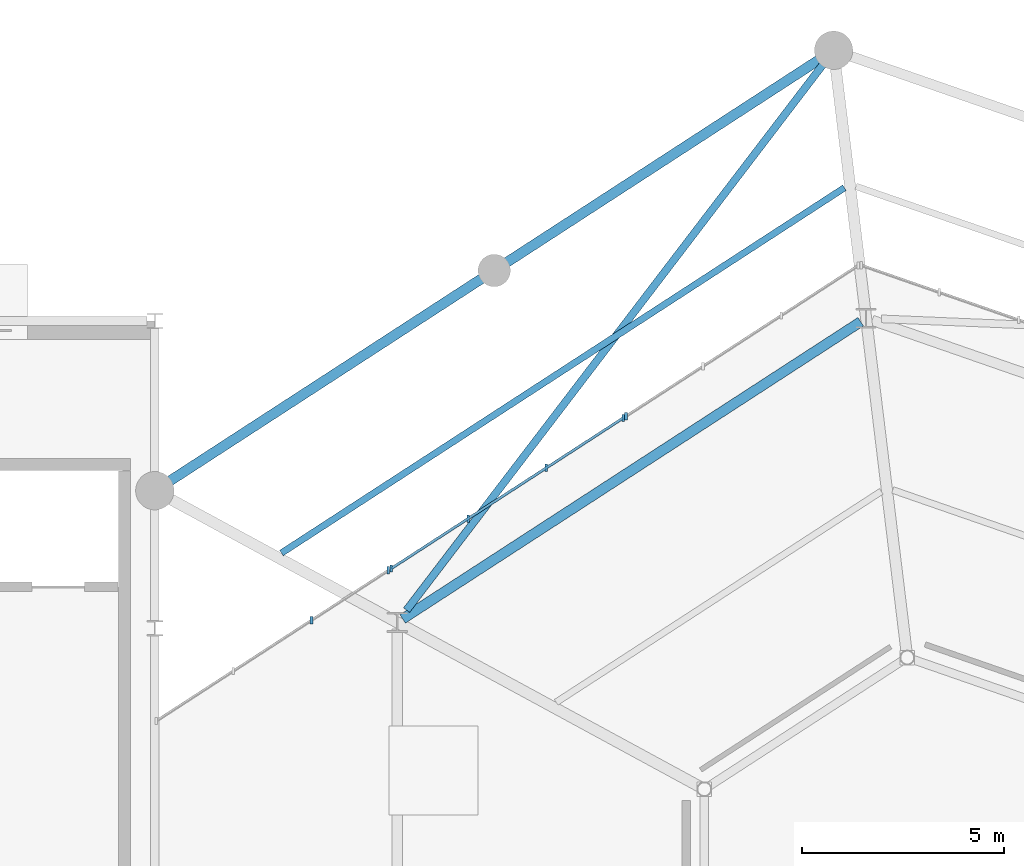
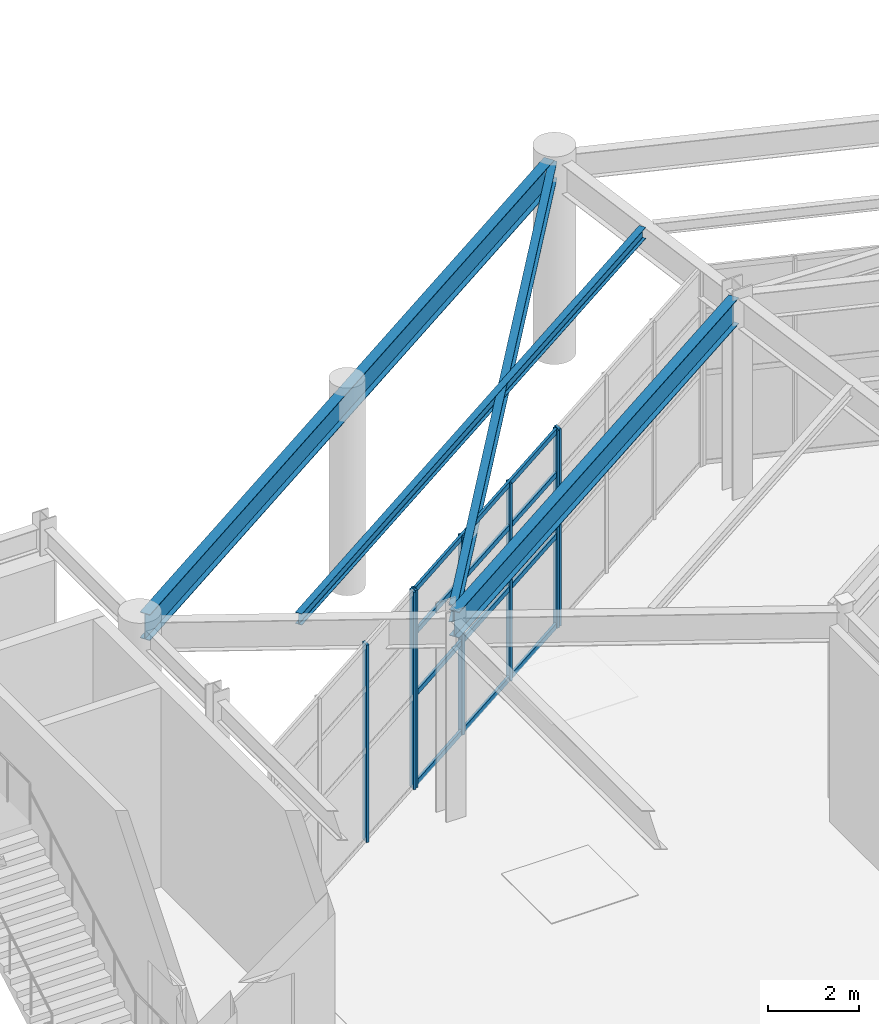
# One storey, part 27 of 70: 11 members, 4 beams, 3 elements without a shape of their own.
"""IFC4 building model written with IfcOpenShell, lengths in metres."""

from ifc_helpers import new_model, si_unit, direction, frame, origin, origin_2d, place, context, subcontext, project, spatial, rectangle, i_section, extrude, material, material_profile, profile_set, type_object, element, aggregate, save


model = new_model("IFC4")

# Units and contexts
model_context = context("Model", 3, precision=1e-05, world=origin(), true_north=direction((0.0, 1.0)))
body_context = subcontext(model_context, "Body", "Model", "MODEL_VIEW")
ifc_project = project(units=[si_unit("LENGTHUNIT", "METRE"), si_unit("AREAUNIT", "SQUARE_METRE"), si_unit("VOLUMEUNIT", "CUBIC_METRE"), si_unit("PLANEANGLEUNIT", "RADIAN"), si_unit("MASSUNIT", "GRAM", prefix="KILO")], contexts=[model_context])

# Site, building, storey
site_placement = place(None, origin())
site = spatial("IfcSite", under=ifc_project, at=site_placement, CompositionType="ELEMENT")
building_placement = place(site_placement, origin())
building = spatial("IfcBuilding", under=site, at=building_placement, Name="Sarnbrook Museum", CompositionType="ELEMENT")
storey_placement = place(building_placement, origin())
storey = spatial("IfcBuildingStorey", under=building, at=storey_placement, Name="L00", CompositionType="ELEMENT", Elevation=0.0)

# Beams
ifc_material_1 = material(Name="Structural Steel Grade 300PLUS (AS/NZS 3679.1, fy = 280 MPa for 17 < t <= 40 mm, 300 MPa for t <= 17 mm)", Category="steel")
ifc_material_profile_1 = material_profile(ifc_material_1, i_section(OverallWidth=0.18994140625, OverallDepth=0.45703125, WebThickness=0.009033203125, FlangeThickness=0.014404296875, FilletRadius=0.011474609375, at=origin_2d()), Name="460UB74.6")
ifc_profile_set_1 = profile_set([ifc_material_profile_1], Name="Structural Steel Grade 300PLUS (AS/NZS 3679.1, fy = 280 MPa for 17 < t <= 40 mm, 300 MPa for t <= 17 mm)")
beam_type_1 = type_object("IfcBeamType", Name="BM-UB460", PredefinedType="BEAM", material=ifc_profile_set_1)
beam_1_placement = place(storey_placement, frame((135.830810546875, 114.87158203125, 5.10009765625), z_axis=(-0.606650583961, -0.794968596222, 0.0), x_axis=(0.794968596222, -0.606650583961, 0.0)))
element("IfcBeam", 1, at=beam_1_placement, inside=storey, type_object=beam_type_1, Name="Colonnade Ceiling Diagonal Tie Girder 6 L00", PredefinedType="BEAM", context=body_context, shape_type="SweptSolid", body=[
    extrude(i_section(OverallWidth=0.18994140625, OverallDepth=0.45703125, WebThickness=0.009033203125, FlangeThickness=0.014404296875, FilletRadius=0.011474609375, at=origin_2d()), origin(), (0.0, 0.0, 1.0), 17.14404296875),
])
ifc_material_2 = material(Name="Structural Steel Grade 350L0 (AS/NZS 3678, fy = 340 MPa for 20 < t <= 40 mm)", Category="steel")
ifc_material_profile_2 = material_profile(ifc_material_2, i_section(OverallWidth=0.25, OverallDepth=0.699951171875, WebThickness=0.010009765625, FlangeThickness=0.01611328125, at=origin_2d()), Name="700WB130")
ifc_profile_set_2 = profile_set([ifc_material_profile_2], Name="Structural Steel Grade 350L0 (AS/NZS 3678, fy = 340 MPa for 20 < t <= 40 mm)")
beam_type_2 = type_object("IfcBeamType", Name="BM-WB700", PredefinedType="BEAM", material=ifc_profile_set_2)
beam_2_placement = place(storey_placement, frame((135.790283203125, 114.9638671875, 4.989990234375), z_axis=(-0.838904661146, -0.544278393387, 0.0), x_axis=(0.544278393387, -0.838904661146, 0.0)))
element("IfcBeam", 2, at=beam_2_placement, inside=storey, type_object=beam_type_2, Name="Crystal Hall Perimeter Ring Girder 6 L00", PredefinedType="BEAM", context=body_context, shape_type="SweptSolid", body=[
    extrude(i_section(OverallWidth=0.25, OverallDepth=0.699951171875, WebThickness=0.010009765625, FlangeThickness=0.01611328125, at=origin_2d()), origin(), (0.0, 0.0, 1.0), 19.526123046875),
])
beam_3_placement = place(storey_placement, frame((136.669921875, 108.38232421875, 4.989990234375), z_axis=(-0.838898634594, -0.544287682091, 0.0), x_axis=(0.544287682091, -0.838898634594, 0.0)))
element("IfcBeam", 3, at=beam_3_placement, inside=storey, type_object=beam_type_2, Name="Crystal Hall R1 Ring Girder 6 L00", PredefinedType="BEAM", context=body_context, shape_type="SweptSolid", body=[
    extrude(i_section(OverallWidth=0.25, OverallDepth=0.699951171875, WebThickness=0.010009765625, FlangeThickness=0.01611328125, at=origin_2d()), origin(), (0.0, 0.0, 1.0), 13.5126953125),
])

# Curtain wall, member
ifc_material_3 = material(Name="Thermally Broken Anodised Aluminium 6063-T6", Category="aluminium")
curtain_wall_type = type_object("IfcCurtainWallType", Name="CurtainWall_Colonnade", PredefinedType="NOTDEFINED", material=ifc_material_3)
curtain_wall_1_placement = place(storey_placement, origin())
curtain_wall_1 = element("IfcCurtainWall", 4, at=curtain_wall_1_placement, inside=storey, type_object=curtain_wall_type, Name="Colonnade Recessed Glazing L00-F6.1", PredefinedType="NOTDEFINED")
ifc_material_profile_3 = material_profile(ifc_material_3, rectangle(XDim=0.06494140625, YDim=0.179931640625, at=origin_2d()), Name="ALU MULLION 65x180")
ifc_profile_set_3 = profile_set([ifc_material_profile_3], Name="Thermally Broken Anodised Aluminium 6063-T6")
member_type_1 = type_object("IfcMemberType", Name="CW_Mullion_180x75", PredefinedType="MULLION", material=ifc_profile_set_3)
member_1_placement = place(storey_placement, frame((130.8623046875, 106.044921875, 0.0), z_axis=(0.0, 0.0, 1.0), x_axis=(1.0, 0.0, 0.0)))
member_1 = element("IfcMember", 5, at=member_1_placement, type_object=member_type_1, Name="Colonnade Recessed Glazing L00-F6.1 Mullion 4", PredefinedType="MULLION", context=body_context, shape_type="SweptSolid", body=[
    extrude(rectangle(XDim=0.06494140625, YDim=0.179931640625, at=origin_2d()), origin(), (0.0, 0.0, 1.0), 5.2900390625),
])
aggregate(curtain_wall_1, [member_1])

# Curtain wall, members
curtain_wall_2_placement = place(storey_placement, origin())
curtain_wall_2 = element("IfcCurtainWall", 6, at=curtain_wall_2_placement, inside=storey, type_object=curtain_wall_type, Name="Colonnade Recessed Glazing L00-F6.2", PredefinedType="NOTDEFINED")
member_2_placement = place(storey_placement, frame((130.795166015625, 106.001220703125, 0.0), z_axis=(0.0, 0.0, 1.0), x_axis=(1.0, 0.0, 0.0)))
member_2 = element("IfcMember", 7, at=member_2_placement, type_object=member_type_1, Name="Colonnade Recessed Glazing L00-F6.2 Mullion 1", PredefinedType="MULLION", context=body_context, shape_type="SweptSolid", body=[
    extrude(rectangle(XDim=0.06494140625, YDim=0.179931640625, at=origin_2d()), origin(), (0.0, 0.0, 1.0), 5.2900390625),
])
member_3_placement = place(storey_placement, frame((128.890625, 104.765625, 0.0), z_axis=(0.0, 0.0, 1.0), x_axis=(1.0, 0.0, 0.0)))
member_3 = element("IfcMember", 8, at=member_3_placement, type_object=member_type_1, Name="Colonnade Recessed Glazing L00-F6.2 Mullion 2", PredefinedType="MULLION", context=body_context, shape_type="SweptSolid", body=[
    extrude(rectangle(XDim=0.06494140625, YDim=0.179931640625, at=origin_2d()), origin(), (0.0, 0.0, 1.0), 5.2900390625),
])
member_4_placement = place(storey_placement, frame((126.952392578125, 103.508056640625, 0.0), z_axis=(0.0, 0.0, 1.0), x_axis=(1.0, 0.0, 0.0)))
member_4 = element("IfcMember", 9, at=member_4_placement, type_object=member_type_1, Name="Colonnade Recessed Glazing L00-F6.2 Mullion 3", PredefinedType="MULLION", context=body_context, shape_type="SweptSolid", body=[
    extrude(rectangle(XDim=0.06494140625, YDim=0.179931640625, at=origin_2d()), origin(), (0.0, 0.0, 1.0), 5.2900390625),
])
member_5_placement = place(storey_placement, frame((125.048095703125, 102.2724609375, 0.0), z_axis=(0.0, 0.0, 1.0), x_axis=(1.0, 0.0, 0.0)))
member_5 = element("IfcMember", 10, at=member_5_placement, type_object=member_type_1, Name="Colonnade Recessed Glazing L00-F6.2 Mullion 4", PredefinedType="MULLION", context=body_context, shape_type="SweptSolid", body=[
    extrude(rectangle(XDim=0.06494140625, YDim=0.179931640625, at=origin_2d()), origin(), (0.0, 0.0, 1.0), 5.2900390625),
])

curtain_wall_3_placement = place(storey_placement, origin())
curtain_wall_3 = element("IfcCurtainWall", 11, at=curtain_wall_3_placement, inside=storey, type_object=curtain_wall_type, Name="Colonnade Recessed Glazing L00-F6.3", PredefinedType="NOTDEFINED")
member_6_placement = place(storey_placement, frame((124.980712890625, 102.22900390625, 0.0), z_axis=(0.0, 0.0, 1.0), x_axis=(1.0, 0.0, 0.0)))
member_6 = element("IfcMember", 12, at=member_6_placement, type_object=member_type_1, Name="Colonnade Recessed Glazing L00-F6.3 Mullion 1", PredefinedType="MULLION", context=body_context, shape_type="SweptSolid", body=[
    extrude(rectangle(XDim=0.06494140625, YDim=0.179931640625, at=origin_2d()), origin(), (0.0, 0.0, 1.0), 5.2900390625),
])
member_7_placement = place(storey_placement, frame((123.076416015625, 100.9931640625, 0.0), z_axis=(0.0, 0.0, 1.0), x_axis=(1.0, 0.0, 0.0)))
member_7 = element("IfcMember", 13, at=member_7_placement, type_object=member_type_1, Name="Colonnade Recessed Glazing L00-F6.3 Mullion 2", PredefinedType="MULLION", context=body_context, shape_type="SweptSolid", body=[
    extrude(rectangle(XDim=0.06494140625, YDim=0.179931640625, at=origin_2d()), origin(), (0.0, 0.0, 1.0), 5.2900390625),
])
aggregate(curtain_wall_3, [member_6, member_7])

# Member
ifc_material_profile_4 = material_profile(ifc_material_3, rectangle(XDim=0.06494140625, YDim=0.139892578125, at=origin_2d()), Name="ALU TRANSOM 65x140")
ifc_profile_set_4 = profile_set([ifc_material_profile_4], Name="Thermally Broken Anodised Aluminium 6063-T6")
member_type_2 = type_object("IfcMemberType", Name="CW_Transom_150x65", PredefinedType="USERDEFINED", material=ifc_profile_set_4)
member_8_placement = place(storey_placement, frame((130.786865234375, 105.995849609375, 0.0400390625), z_axis=(-0.838897334503, -0.544289685887, 0.0), x_axis=(0.544289685887, -0.838897334503, 0.0)))
member_8 = element("IfcMember", 14, at=member_8_placement, type_object=member_type_2, Name="Colonnade Recessed Glazing L00-F6.2 Transom 1", ObjectType="TRANSOM", PredefinedType="USERDEFINED", context=body_context, shape_type="SweptSolid", body=[
    extrude(rectangle(XDim=0.06494140625, YDim=0.139892578125, at=origin_2d()), origin(), (0.0, 0.0, 1.0), 6.8310546875),
])

member_9_placement = place(storey_placement, frame((130.786865234375, 105.995849609375, 2.449951171875), z_axis=(-0.838897334503, -0.544289685887, 0.0), x_axis=(0.544289685887, -0.838897334503, 0.0)))
member_9 = element("IfcMember", 15, at=member_9_placement, type_object=member_type_2, Name="Colonnade Recessed Glazing L00-F6.2 Transom 2", ObjectType="TRANSOM", PredefinedType="USERDEFINED", context=body_context, shape_type="SweptSolid", body=[
    extrude(rectangle(XDim=0.06494140625, YDim=0.139892578125, at=origin_2d()), origin(), (0.0, 0.0, 1.0), 6.8310546875),
])

member_10_placement = place(storey_placement, frame((130.786865234375, 105.995849609375, 4.10009765625), z_axis=(-0.838897334503, -0.544289685887, 0.0), x_axis=(0.544289685887, -0.838897334503, 0.0)))
member_10 = element("IfcMember", 16, at=member_10_placement, type_object=member_type_2, Name="Colonnade Recessed Glazing L00-F6.2 Transom 3", ObjectType="TRANSOM", PredefinedType="USERDEFINED", context=body_context, shape_type="SweptSolid", body=[
    extrude(rectangle(XDim=0.06494140625, YDim=0.139892578125, at=origin_2d()), origin(), (0.0, 0.0, 1.0), 6.8310546875),
])

member_11_placement = place(storey_placement, frame((130.786865234375, 105.995849609375, 5.25), z_axis=(-0.838897334503, -0.544289685887, 0.0), x_axis=(0.544289685887, -0.838897334503, 0.0)))
member_11 = element("IfcMember", 17, at=member_11_placement, type_object=member_type_2, Name="Colonnade Recessed Glazing L00-F6.2 Transom 4", ObjectType="TRANSOM", PredefinedType="USERDEFINED", context=body_context, shape_type="SweptSolid", body=[
    extrude(rectangle(XDim=0.06494140625, YDim=0.139892578125, at=origin_2d()), origin(), (0.0, 0.0, 1.0), 6.8310546875),
])

aggregate(curtain_wall_2, [member_2, member_3, member_4, member_5, member_8, member_9, member_10, member_11])

# Beam
ifc_material_profile_5 = material_profile(ifc_material_1, i_section(OverallWidth=0.1650390625, OverallDepth=0.303955078125, WebThickness=0.006103515625, FlangeThickness=0.01025390625, FilletRadius=0.011474609375, at=origin_2d()), Name="310UB40.4")
ifc_profile_set_5 = profile_set([ifc_material_profile_5], Name="Structural Steel Grade 300PLUS (AS/NZS 3679.1, fy = 280 MPa for 17 < t <= 40 mm, 300 MPa for t <= 17 mm)")
beam_type_3 = type_object("IfcBeamType", Name="JS-UB310", PredefinedType="JOIST", material=ifc_profile_set_5)
beam_4_placement = place(storey_placement, frame((136.267822265625, 111.697509765625, 5.18798828125), z_axis=(-0.838905418577, -0.544277225944, 0.0), x_axis=(0.544277225944, -0.838905418577, 0.0)))
element("IfcBeam", 18, at=beam_4_placement, inside=storey, type_object=beam_type_3, Name="Crystal Hall Tangential Joist MO-6 L00", PredefinedType="JOIST", context=body_context, shape_type="SweptSolid", body=[
    extrude(i_section(OverallWidth=0.1650390625, OverallDepth=0.303955078125, WebThickness=0.006103515625, FlangeThickness=0.01025390625, FilletRadius=0.011474609375, at=origin_2d()), origin(), (0.0, 0.0, 1.0), 16.609375),
])

save(model, "model.ifc")
